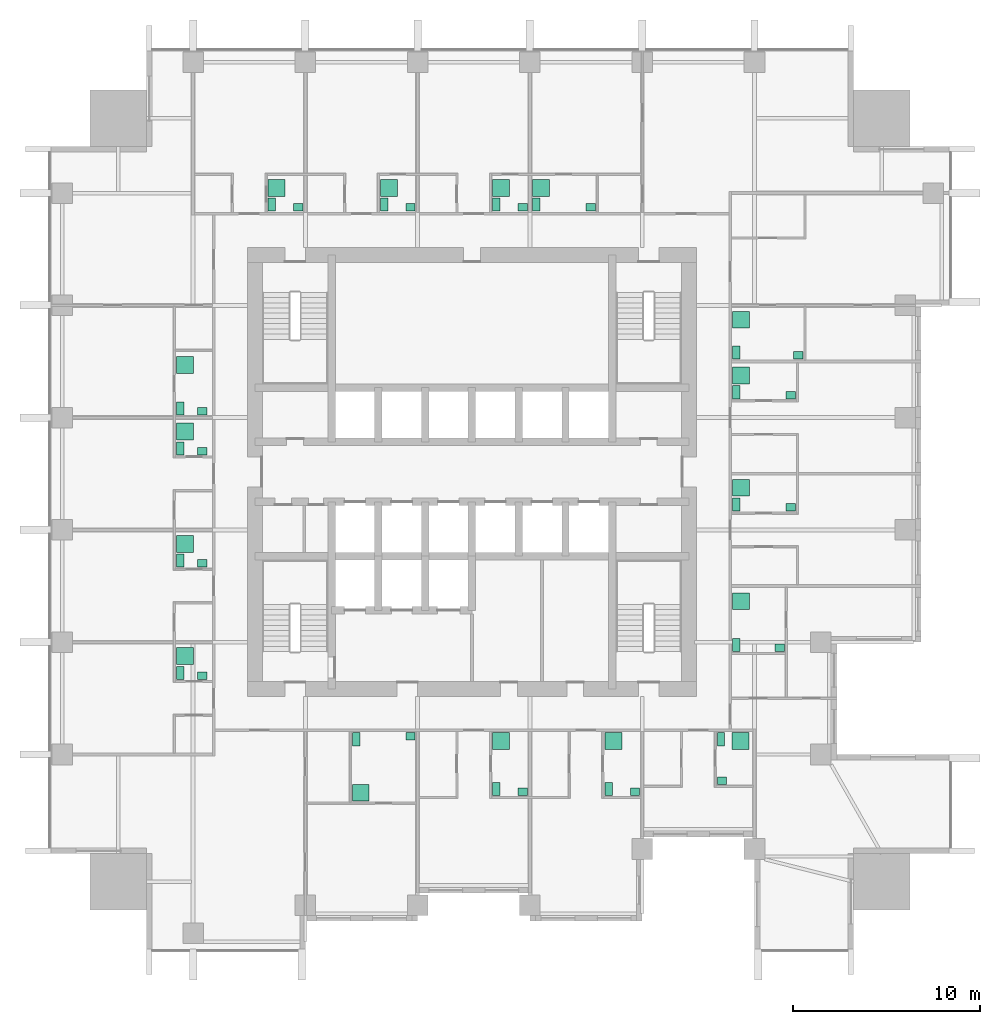
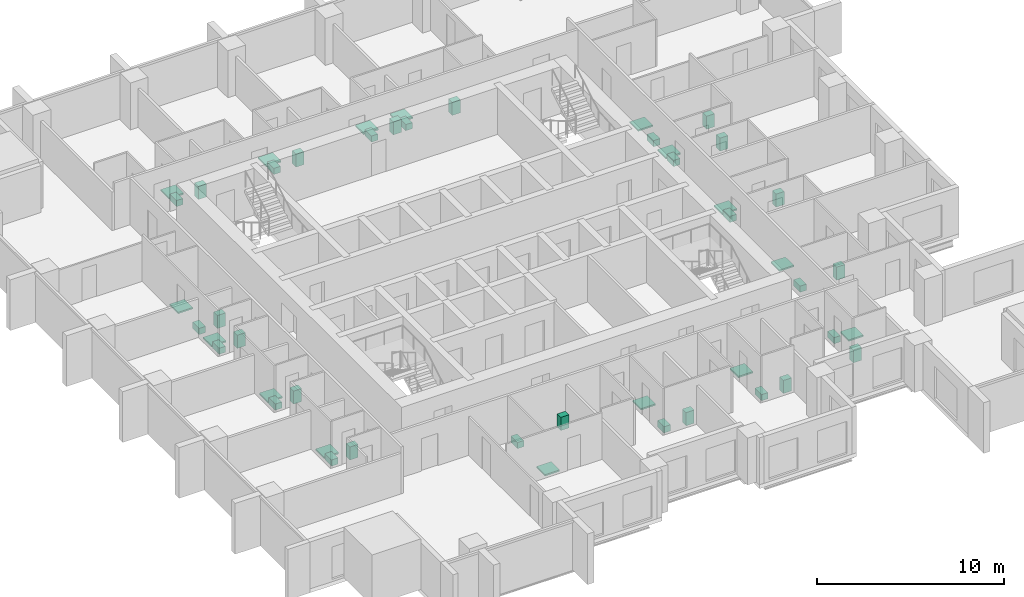
# One storey, part 11 of 11: 48 sanitary terminals.
"""IFC4 building model written with IfcOpenShell, lengths in metres."""

from ifc_helpers import new_model, si_unit, direction, frame, origin, origin_2d, place, context, subcontext, project, spatial, rectangle, extrude, element, save


model = new_model("IFC4")

# Units and contexts
model_context = context("Model", 3, precision=1e-05, world=origin(), true_north=direction((0.0, 1.0)))
body_context = subcontext(model_context, "Body", "Model", "MODEL_VIEW")
ifc_project = project(units=[si_unit("LENGTHUNIT", "METRE"), si_unit("AREAUNIT", "SQUARE_METRE"), si_unit("VOLUMEUNIT", "CUBIC_METRE"), si_unit("PLANEANGLEUNIT", "RADIAN"), si_unit("MASSUNIT", "GRAM", prefix="KILO")], contexts=[model_context])

# Site, building, storey
site_placement = place(None, origin())
site = spatial("IfcSite", under=ifc_project, at=site_placement, CompositionType="ELEMENT")
building_placement = place(site_placement, origin())
building = spatial("IfcBuilding", under=site, at=building_placement, Name="Amberfall Residences", CompositionType="ELEMENT")
storey_placement = place(building_placement, frame((0.0, 0.0, 91.89990234375)))
storey = spatial("IfcBuildingStorey", under=building, at=storey_placement, Name="L24", CompositionType="ELEMENT", Elevation=91.89990234375)

# Sanitary terminals
sanitary_terminal_1_placement = place(storey_placement, frame((68.31005859375, 31.215087890625, 0.000244140625), z_axis=(0.0, 0.0, 1.0), x_axis=(1.0, 0.0, 0.0)))
element("IfcSanitaryTerminal", 1, at=sanitary_terminal_1_placement, inside=storey, Name="Water closet 2401", PredefinedType="TOILETPAN", context=body_context, shape_type="SweptSolid", body=[
    extrude(rectangle(XDim=0.39990234375, YDim=0.699951171875, at=origin_2d()), origin(), (0.0, 0.0, 1.0), 0.39990234375),
])
sanitary_terminal_2_placement = place(storey_placement, frame((71.215087890625, 31.364990234375, 0.0), z_axis=(0.0, 0.0, 1.0), x_axis=(1.0, 0.0, 0.0)))
element("IfcSanitaryTerminal", 2, at=sanitary_terminal_2_placement, inside=storey, Name="Basin 2401", PredefinedType="WASHHANDBASIN", context=body_context, shape_type="SweptSolid", body=[
    extrude(rectangle(XDim=0.5, YDim=0.39990234375, at=origin_2d()), origin(), (0.0, 0.0, 1.0), 0.85009765625),
])
sanitary_terminal_3_placement = place(storey_placement, frame((68.56005859375, 28.360107421875, 0.0), z_axis=(0.0, 0.0, 1.0), x_axis=(1.0, 0.0, 0.0)))
element("IfcSanitaryTerminal", 3, at=sanitary_terminal_3_placement, inside=storey, Name="Shower tray 2401", PredefinedType="SHOWER", context=body_context, shape_type="SweptSolid", body=[
    extrude(rectangle(XDim=0.89990234375, YDim=0.89990234375, at=origin_2d()), origin(), (0.0, 0.0, 1.0), 0.10009765625),
])
sanitary_terminal_4_placement = place(storey_placement, frame((75.81005859375, 28.56005859375, 0.000244140625), z_axis=(0.0, 0.0, 1.0), x_axis=(1.0, 0.0, 0.0)))
element("IfcSanitaryTerminal", 4, at=sanitary_terminal_4_placement, inside=storey, Name="Water closet 2402", PredefinedType="TOILETPAN", context=body_context, shape_type="SweptSolid", body=[
    extrude(rectangle(XDim=0.39990234375, YDim=0.699951171875, at=origin_2d()), origin(), (0.0, 0.0, 1.0), 0.39990234375),
])
sanitary_terminal_5_placement = place(storey_placement, frame((77.215087890625, 28.409912109375, 0.0), z_axis=(0.0, 0.0, 1.0), x_axis=(1.0, 0.0, 0.0)))
element("IfcSanitaryTerminal", 5, at=sanitary_terminal_5_placement, inside=storey, Name="Basin 2402", PredefinedType="WASHHANDBASIN", context=body_context, shape_type="SweptSolid", body=[
    extrude(rectangle(XDim=0.5, YDim=0.39990234375, at=origin_2d()), origin(), (0.0, 0.0, 1.0), 0.85009765625),
])
sanitary_terminal_6_placement = place(storey_placement, frame((76.06005859375, 31.114990234375, 0.0), z_axis=(0.0, 0.0, 1.0), x_axis=(1.0, 0.0, 0.0)))
element("IfcSanitaryTerminal", 6, at=sanitary_terminal_6_placement, inside=storey, Name="Shower tray 2402", PredefinedType="SHOWER", context=body_context, shape_type="SweptSolid", body=[
    extrude(rectangle(XDim=0.89990234375, YDim=0.89990234375, at=origin_2d()), origin(), (0.0, 0.0, 1.0), 0.10009765625),
])
sanitary_terminal_7_placement = place(storey_placement, frame((81.81005859375, 28.56005859375, 0.000244140625), z_axis=(0.0, 0.0, 1.0), x_axis=(1.0, 0.0, 0.0)))
element("IfcSanitaryTerminal", 7, at=sanitary_terminal_7_placement, inside=storey, Name="Water closet 2403", PredefinedType="TOILETPAN", context=body_context, shape_type="SweptSolid", body=[
    extrude(rectangle(XDim=0.39990234375, YDim=0.699951171875, at=origin_2d()), origin(), (0.0, 0.0, 1.0), 0.39990234375),
])
sanitary_terminal_8_placement = place(storey_placement, frame((83.215087890625, 28.409912109375, 0.0), z_axis=(0.0, 0.0, 1.0), x_axis=(1.0, 0.0, 0.0)))
element("IfcSanitaryTerminal", 8, at=sanitary_terminal_8_placement, inside=storey, Name="Basin 2403", PredefinedType="WASHHANDBASIN", context=body_context, shape_type="SweptSolid", body=[
    extrude(rectangle(XDim=0.5, YDim=0.39990234375, at=origin_2d()), origin(), (0.0, 0.0, 1.0), 0.85009765625),
])
sanitary_terminal_9_placement = place(storey_placement, frame((82.06005859375, 31.114990234375, 0.0), z_axis=(0.0, 0.0, 1.0), x_axis=(1.0, 0.0, 0.0)))
element("IfcSanitaryTerminal", 9, at=sanitary_terminal_9_placement, inside=storey, Name="Shower tray 2403", PredefinedType="SHOWER", context=body_context, shape_type="SweptSolid", body=[
    extrude(rectangle(XDim=0.89990234375, YDim=0.89990234375, at=origin_2d()), origin(), (0.0, 0.0, 1.0), 0.10009765625),
])
sanitary_terminal_10_placement = place(storey_placement, frame((87.81005859375, 31.215087890625, 0.000244140625), z_axis=(0.0, 0.0, 1.0), x_axis=(1.0, 0.0, 0.0)))
element("IfcSanitaryTerminal", 10, at=sanitary_terminal_10_placement, inside=storey, Name="Water closet 2404", PredefinedType="TOILETPAN", context=body_context, shape_type="SweptSolid", body=[
    extrude(rectangle(XDim=0.39990234375, YDim=0.699951171875, at=origin_2d()), origin(), (0.0, 0.0, 1.0), 0.39990234375),
])
sanitary_terminal_11_placement = place(storey_placement, frame((87.860107421875, 29.010009765625, 0.0), z_axis=(0.0, 0.0, 1.0), x_axis=(1.0, 0.0, 0.0)))
element("IfcSanitaryTerminal", 11, at=sanitary_terminal_11_placement, inside=storey, Name="Basin 2404", PredefinedType="WASHHANDBASIN", context=body_context, shape_type="SweptSolid", body=[
    extrude(rectangle(XDim=0.5, YDim=0.39990234375, at=origin_2d()), origin(), (0.0, 0.0, 1.0), 0.85009765625),
])
sanitary_terminal_12_placement = place(storey_placement, frame((88.855712890625, 31.114990234375, 0.0), z_axis=(0.0, 0.0, 1.0), x_axis=(1.0, 0.0, 0.0)))
element("IfcSanitaryTerminal", 12, at=sanitary_terminal_12_placement, inside=storey, Name="Shower tray 2404", PredefinedType="SHOWER", context=body_context, shape_type="SweptSolid", body=[
    extrude(rectangle(XDim=0.89990234375, YDim=0.89990234375, at=origin_2d()), origin(), (0.0, 0.0, 1.0), 0.10009765625),
])
sanitary_terminal_13_placement = place(storey_placement, frame((88.635009765625, 36.260009765625, 0.000244140625), z_axis=(0.0, 0.0, 1.0), x_axis=(1.0, 0.0, 0.0)))
element("IfcSanitaryTerminal", 13, at=sanitary_terminal_13_placement, inside=storey, Name="Water closet 2405", PredefinedType="TOILETPAN", context=body_context, shape_type="SweptSolid", body=[
    extrude(rectangle(XDim=0.39990234375, YDim=0.699951171875, at=origin_2d()), origin(), (0.0, 0.0, 1.0), 0.39990234375),
])
sanitary_terminal_14_placement = place(storey_placement, frame((90.93994140625, 36.110107421875, 0.0), z_axis=(0.0, 0.0, 1.0), x_axis=(1.0, 0.0, 0.0)))
element("IfcSanitaryTerminal", 14, at=sanitary_terminal_14_placement, inside=storey, Name="Basin 2405", PredefinedType="WASHHANDBASIN", context=body_context, shape_type="SweptSolid", body=[
    extrude(rectangle(XDim=0.5, YDim=0.39990234375, at=origin_2d()), origin(), (0.0, 0.0, 1.0), 0.85009765625),
])
sanitary_terminal_15_placement = place(storey_placement, frame((88.885009765625, 38.591796875, 0.0), z_axis=(0.0, 0.0, 1.0), x_axis=(1.0, 0.0, 0.0)))
element("IfcSanitaryTerminal", 15, at=sanitary_terminal_15_placement, inside=storey, Name="Shower tray 2405", PredefinedType="SHOWER", context=body_context, shape_type="SweptSolid", body=[
    extrude(rectangle(XDim=0.89990234375, YDim=0.89990234375, at=origin_2d()), origin(), (0.0, 0.0, 1.0), 0.10009765625),
])
sanitary_terminal_16_placement = place(storey_placement, frame((88.635009765625, 43.760009765625, 0.000244140625), z_axis=(0.0, 0.0, 1.0), x_axis=(1.0, 0.0, 0.0)))
element("IfcSanitaryTerminal", 16, at=sanitary_terminal_16_placement, inside=storey, Name="Water closet 2406", PredefinedType="TOILETPAN", context=body_context, shape_type="SweptSolid", body=[
    extrude(rectangle(XDim=0.39990234375, YDim=0.699951171875, at=origin_2d()), origin(), (0.0, 0.0, 1.0), 0.39990234375),
])
sanitary_terminal_17_placement = place(storey_placement, frame((91.5400390625, 43.610107421875, 0.0), z_axis=(0.0, 0.0, 1.0), x_axis=(1.0, 0.0, 0.0)))
element("IfcSanitaryTerminal", 17, at=sanitary_terminal_17_placement, inside=storey, Name="Basin 2406", PredefinedType="WASHHANDBASIN", context=body_context, shape_type="SweptSolid", body=[
    extrude(rectangle(XDim=0.5, YDim=0.39990234375, at=origin_2d()), origin(), (0.0, 0.0, 1.0), 0.85009765625),
])
sanitary_terminal_18_placement = place(storey_placement, frame((88.885009765625, 44.65576171875, 0.0), z_axis=(0.0, 0.0, 1.0), x_axis=(1.0, 0.0, 0.0)))
element("IfcSanitaryTerminal", 18, at=sanitary_terminal_18_placement, inside=storey, Name="Shower tray 2406", PredefinedType="SHOWER", context=body_context, shape_type="SweptSolid", body=[
    extrude(rectangle(XDim=0.89990234375, YDim=0.89990234375, at=origin_2d()), origin(), (0.0, 0.0, 1.0), 0.10009765625),
])
sanitary_terminal_19_placement = place(storey_placement, frame((88.635009765625, 49.760009765625, 0.000244140625), z_axis=(0.0, 0.0, 1.0), x_axis=(1.0, 0.0, 0.0)))
element("IfcSanitaryTerminal", 19, at=sanitary_terminal_19_placement, inside=storey, Name="Water closet 2407", PredefinedType="TOILETPAN", context=body_context, shape_type="SweptSolid", body=[
    extrude(rectangle(XDim=0.39990234375, YDim=0.699951171875, at=origin_2d()), origin(), (0.0, 0.0, 1.0), 0.39990234375),
])
sanitary_terminal_20_placement = place(storey_placement, frame((91.5400390625, 49.610107421875, 0.0), z_axis=(0.0, 0.0, 1.0), x_axis=(1.0, 0.0, 0.0)))
element("IfcSanitaryTerminal", 20, at=sanitary_terminal_20_placement, inside=storey, Name="Basin 2407", PredefinedType="WASHHANDBASIN", context=body_context, shape_type="SweptSolid", body=[
    extrude(rectangle(XDim=0.5, YDim=0.39990234375, at=origin_2d()), origin(), (0.0, 0.0, 1.0), 0.85009765625),
])
sanitary_terminal_21_placement = place(storey_placement, frame((88.885009765625, 50.65576171875, 0.0), z_axis=(0.0, 0.0, 1.0), x_axis=(1.0, 0.0, 0.0)))
element("IfcSanitaryTerminal", 21, at=sanitary_terminal_21_placement, inside=storey, Name="Shower tray 2407", PredefinedType="SHOWER", context=body_context, shape_type="SweptSolid", body=[
    extrude(rectangle(XDim=0.89990234375, YDim=0.89990234375, at=origin_2d()), origin(), (0.0, 0.0, 1.0), 0.10009765625),
])
sanitary_terminal_22_placement = place(storey_placement, frame((88.635009765625, 51.885009765625, 0.000244140625), z_axis=(0.0, 0.0, 1.0), x_axis=(1.0, 0.0, 0.0)))
element("IfcSanitaryTerminal", 22, at=sanitary_terminal_22_placement, inside=storey, Name="Water closet 2408", PredefinedType="TOILETPAN", context=body_context, shape_type="SweptSolid", body=[
    extrude(rectangle(XDim=0.39990234375, YDim=0.699951171875, at=origin_2d()), origin(), (0.0, 0.0, 1.0), 0.39990234375),
])
sanitary_terminal_23_placement = place(storey_placement, frame((91.93994140625, 51.735107421875, 0.0), z_axis=(0.0, 0.0, 1.0), x_axis=(1.0, 0.0, 0.0)))
element("IfcSanitaryTerminal", 23, at=sanitary_terminal_23_placement, inside=storey, Name="Basin 2408", PredefinedType="WASHHANDBASIN", context=body_context, shape_type="SweptSolid", body=[
    extrude(rectangle(XDim=0.5, YDim=0.39990234375, at=origin_2d()), origin(), (0.0, 0.0, 1.0), 0.85009765625),
])
sanitary_terminal_24_placement = place(storey_placement, frame((88.885009765625, 53.6337890625, 0.0), z_axis=(0.0, 0.0, 1.0), x_axis=(1.0, 0.0, 0.0)))
element("IfcSanitaryTerminal", 24, at=sanitary_terminal_24_placement, inside=storey, Name="Shower tray 2408", PredefinedType="SHOWER", context=body_context, shape_type="SweptSolid", body=[
    extrude(rectangle(XDim=0.89990234375, YDim=0.89990234375, at=origin_2d()), origin(), (0.0, 0.0, 1.0), 0.10009765625),
])
sanitary_terminal_25_placement = place(storey_placement, frame((63.81005859375, 59.784912109375, 0.000244140625), z_axis=(0.0, 0.0, 1.0), x_axis=(1.0, 0.0, 0.0)))
element("IfcSanitaryTerminal", 25, at=sanitary_terminal_25_placement, inside=storey, Name="Water closet 2409", PredefinedType="TOILETPAN", context=body_context, shape_type="SweptSolid", body=[
    extrude(rectangle(XDim=0.39990234375, YDim=0.699951171875, at=origin_2d()), origin(), (0.0, 0.0, 1.0), 0.39990234375),
])
sanitary_terminal_26_placement = place(storey_placement, frame((65.215087890625, 59.635009765625, 0.0), z_axis=(0.0, 0.0, 1.0), x_axis=(1.0, 0.0, 0.0)))
element("IfcSanitaryTerminal", 26, at=sanitary_terminal_26_placement, inside=storey, Name="Basin 2409", PredefinedType="WASHHANDBASIN", context=body_context, shape_type="SweptSolid", body=[
    extrude(rectangle(XDim=0.5, YDim=0.39990234375, at=origin_2d()), origin(), (0.0, 0.0, 1.0), 0.85009765625),
])
sanitary_terminal_27_placement = place(storey_placement, frame((64.06005859375, 60.680908203125, 0.0), z_axis=(0.0, 0.0, 1.0), x_axis=(1.0, 0.0, 0.0)))
element("IfcSanitaryTerminal", 27, at=sanitary_terminal_27_placement, inside=storey, Name="Shower tray 2409", PredefinedType="SHOWER", context=body_context, shape_type="SweptSolid", body=[
    extrude(rectangle(XDim=0.89990234375, YDim=0.89990234375, at=origin_2d()), origin(), (0.0, 0.0, 1.0), 0.10009765625),
])
sanitary_terminal_28_placement = place(storey_placement, frame((69.81005859375, 59.784912109375, 0.000244140625), z_axis=(0.0, 0.0, 1.0), x_axis=(1.0, 0.0, 0.0)))
element("IfcSanitaryTerminal", 28, at=sanitary_terminal_28_placement, inside=storey, Name="Water closet 2410", PredefinedType="TOILETPAN", context=body_context, shape_type="SweptSolid", body=[
    extrude(rectangle(XDim=0.39990234375, YDim=0.699951171875, at=origin_2d()), origin(), (0.0, 0.0, 1.0), 0.39990234375),
])
sanitary_terminal_29_placement = place(storey_placement, frame((71.215087890625, 59.635009765625, 0.0), z_axis=(0.0, 0.0, 1.0), x_axis=(1.0, 0.0, 0.0)))
element("IfcSanitaryTerminal", 29, at=sanitary_terminal_29_placement, inside=storey, Name="Basin 2410", PredefinedType="WASHHANDBASIN", context=body_context, shape_type="SweptSolid", body=[
    extrude(rectangle(XDim=0.5, YDim=0.39990234375, at=origin_2d()), origin(), (0.0, 0.0, 1.0), 0.85009765625),
])
sanitary_terminal_30_placement = place(storey_placement, frame((70.06005859375, 60.680908203125, 0.0), z_axis=(0.0, 0.0, 1.0), x_axis=(1.0, 0.0, 0.0)))
element("IfcSanitaryTerminal", 30, at=sanitary_terminal_30_placement, inside=storey, Name="Shower tray 2410", PredefinedType="SHOWER", context=body_context, shape_type="SweptSolid", body=[
    extrude(rectangle(XDim=0.89990234375, YDim=0.89990234375, at=origin_2d()), origin(), (0.0, 0.0, 1.0), 0.10009765625),
])
sanitary_terminal_31_placement = place(storey_placement, frame((75.81005859375, 59.784912109375, 0.000244140625), z_axis=(0.0, 0.0, 1.0), x_axis=(1.0, 0.0, 0.0)))
element("IfcSanitaryTerminal", 31, at=sanitary_terminal_31_placement, inside=storey, Name="Water closet 2411", PredefinedType="TOILETPAN", context=body_context, shape_type="SweptSolid", body=[
    extrude(rectangle(XDim=0.39990234375, YDim=0.699951171875, at=origin_2d()), origin(), (0.0, 0.0, 1.0), 0.39990234375),
])
sanitary_terminal_32_placement = place(storey_placement, frame((77.215087890625, 59.635009765625, 0.0), z_axis=(0.0, 0.0, 1.0), x_axis=(1.0, 0.0, 0.0)))
element("IfcSanitaryTerminal", 32, at=sanitary_terminal_32_placement, inside=storey, Name="Basin 2411", PredefinedType="WASHHANDBASIN", context=body_context, shape_type="SweptSolid", body=[
    extrude(rectangle(XDim=0.5, YDim=0.39990234375, at=origin_2d()), origin(), (0.0, 0.0, 1.0), 0.85009765625),
])
sanitary_terminal_33_placement = place(storey_placement, frame((76.06005859375, 60.680908203125, 0.0), z_axis=(0.0, 0.0, 1.0), x_axis=(1.0, 0.0, 0.0)))
element("IfcSanitaryTerminal", 33, at=sanitary_terminal_33_placement, inside=storey, Name="Shower tray 2411", PredefinedType="SHOWER", context=body_context, shape_type="SweptSolid", body=[
    extrude(rectangle(XDim=0.89990234375, YDim=0.89990234375, at=origin_2d()), origin(), (0.0, 0.0, 1.0), 0.10009765625),
])
sanitary_terminal_34_placement = place(storey_placement, frame((77.93505859375, 59.784912109375, 0.000244140625), z_axis=(0.0, 0.0, 1.0), x_axis=(1.0, 0.0, 0.0)))
element("IfcSanitaryTerminal", 34, at=sanitary_terminal_34_placement, inside=storey, Name="Water closet 2412", PredefinedType="TOILETPAN", context=body_context, shape_type="SweptSolid", body=[
    extrude(rectangle(XDim=0.39990234375, YDim=0.699951171875, at=origin_2d()), origin(), (0.0, 0.0, 1.0), 0.39990234375),
])
sanitary_terminal_35_placement = place(storey_placement, frame((80.840087890625, 59.635009765625, 0.0), z_axis=(0.0, 0.0, 1.0), x_axis=(1.0, 0.0, 0.0)))
element("IfcSanitaryTerminal", 35, at=sanitary_terminal_35_placement, inside=storey, Name="Basin 2412", PredefinedType="WASHHANDBASIN", context=body_context, shape_type="SweptSolid", body=[
    extrude(rectangle(XDim=0.5, YDim=0.39990234375, at=origin_2d()), origin(), (0.0, 0.0, 1.0), 0.85009765625),
])
sanitary_terminal_36_placement = place(storey_placement, frame((78.18505859375, 60.680908203125, 0.0), z_axis=(0.0, 0.0, 1.0), x_axis=(1.0, 0.0, 0.0)))
element("IfcSanitaryTerminal", 36, at=sanitary_terminal_36_placement, inside=storey, Name="Shower tray 2412", PredefinedType="SHOWER", context=body_context, shape_type="SweptSolid", body=[
    extrude(rectangle(XDim=0.89990234375, YDim=0.89990234375, at=origin_2d()), origin(), (0.0, 0.0, 1.0), 0.10009765625),
])
sanitary_terminal_37_placement = place(storey_placement, frame((58.909912109375, 34.760009765625, 0.000244140625), z_axis=(0.0, 0.0, 1.0), x_axis=(1.0, 0.0, 0.0)))
element("IfcSanitaryTerminal", 37, at=sanitary_terminal_37_placement, inside=storey, Name="Water closet 2413", PredefinedType="TOILETPAN", context=body_context, shape_type="SweptSolid", body=[
    extrude(rectangle(XDim=0.39990234375, YDim=0.699951171875, at=origin_2d()), origin(), (0.0, 0.0, 1.0), 0.39990234375),
])
sanitary_terminal_38_placement = place(storey_placement, frame((60.089111328125, 34.610107421875, 0.0), z_axis=(0.0, 0.0, 1.0), x_axis=(1.0, 0.0, 0.0)))
element("IfcSanitaryTerminal", 38, at=sanitary_terminal_38_placement, inside=storey, Name="Basin 2413", PredefinedType="WASHHANDBASIN", context=body_context, shape_type="SweptSolid", body=[
    extrude(rectangle(XDim=0.5, YDim=0.39990234375, at=origin_2d()), origin(), (0.0, 0.0, 1.0), 0.85009765625),
])
sanitary_terminal_39_placement = place(storey_placement, frame((59.159912109375, 35.65576171875, 0.0), z_axis=(0.0, 0.0, 1.0), x_axis=(1.0, 0.0, 0.0)))
element("IfcSanitaryTerminal", 39, at=sanitary_terminal_39_placement, inside=storey, Name="Shower tray 2413", PredefinedType="SHOWER", context=body_context, shape_type="SweptSolid", body=[
    extrude(rectangle(XDim=0.89990234375, YDim=0.89990234375, at=origin_2d()), origin(), (0.0, 0.0, 1.0), 0.10009765625),
])
sanitary_terminal_40_placement = place(storey_placement, frame((58.909912109375, 40.760009765625, 0.000244140625), z_axis=(0.0, 0.0, 1.0), x_axis=(1.0, 0.0, 0.0)))
element("IfcSanitaryTerminal", 40, at=sanitary_terminal_40_placement, inside=storey, Name="Water closet 2414", PredefinedType="TOILETPAN", context=body_context, shape_type="SweptSolid", body=[
    extrude(rectangle(XDim=0.39990234375, YDim=0.699951171875, at=origin_2d()), origin(), (0.0, 0.0, 1.0), 0.39990234375),
])
sanitary_terminal_41_placement = place(storey_placement, frame((60.089111328125, 40.610107421875, 0.0), z_axis=(0.0, 0.0, 1.0), x_axis=(1.0, 0.0, 0.0)))
element("IfcSanitaryTerminal", 41, at=sanitary_terminal_41_placement, inside=storey, Name="Basin 2414", PredefinedType="WASHHANDBASIN", context=body_context, shape_type="SweptSolid", body=[
    extrude(rectangle(XDim=0.5, YDim=0.39990234375, at=origin_2d()), origin(), (0.0, 0.0, 1.0), 0.85009765625),
])
sanitary_terminal_42_placement = place(storey_placement, frame((59.159912109375, 41.65576171875, 0.0), z_axis=(0.0, 0.0, 1.0), x_axis=(1.0, 0.0, 0.0)))
element("IfcSanitaryTerminal", 42, at=sanitary_terminal_42_placement, inside=storey, Name="Shower tray 2414", PredefinedType="SHOWER", context=body_context, shape_type="SweptSolid", body=[
    extrude(rectangle(XDim=0.89990234375, YDim=0.89990234375, at=origin_2d()), origin(), (0.0, 0.0, 1.0), 0.10009765625),
])
sanitary_terminal_43_placement = place(storey_placement, frame((58.909912109375, 46.760009765625, 0.000244140625), z_axis=(0.0, 0.0, 1.0), x_axis=(1.0, 0.0, 0.0)))
element("IfcSanitaryTerminal", 43, at=sanitary_terminal_43_placement, inside=storey, Name="Water closet 2415", PredefinedType="TOILETPAN", context=body_context, shape_type="SweptSolid", body=[
    extrude(rectangle(XDim=0.39990234375, YDim=0.699951171875, at=origin_2d()), origin(), (0.0, 0.0, 1.0), 0.39990234375),
])
sanitary_terminal_44_placement = place(storey_placement, frame((60.089111328125, 46.610107421875, 0.0), z_axis=(0.0, 0.0, 1.0), x_axis=(1.0, 0.0, 0.0)))
element("IfcSanitaryTerminal", 44, at=sanitary_terminal_44_placement, inside=storey, Name="Basin 2415", PredefinedType="WASHHANDBASIN", context=body_context, shape_type="SweptSolid", body=[
    extrude(rectangle(XDim=0.5, YDim=0.39990234375, at=origin_2d()), origin(), (0.0, 0.0, 1.0), 0.85009765625),
])
sanitary_terminal_45_placement = place(storey_placement, frame((59.159912109375, 47.65576171875, 0.0), z_axis=(0.0, 0.0, 1.0), x_axis=(1.0, 0.0, 0.0)))
element("IfcSanitaryTerminal", 45, at=sanitary_terminal_45_placement, inside=storey, Name="Shower tray 2415", PredefinedType="SHOWER", context=body_context, shape_type="SweptSolid", body=[
    extrude(rectangle(XDim=0.89990234375, YDim=0.89990234375, at=origin_2d()), origin(), (0.0, 0.0, 1.0), 0.10009765625),
])
sanitary_terminal_46_placement = place(storey_placement, frame((58.909912109375, 48.885009765625, 0.000244140625), z_axis=(0.0, 0.0, 1.0), x_axis=(1.0, 0.0, 0.0)))
element("IfcSanitaryTerminal", 46, at=sanitary_terminal_46_placement, inside=storey, Name="Water closet 2416", PredefinedType="TOILETPAN", context=body_context, shape_type="SweptSolid", body=[
    extrude(rectangle(XDim=0.39990234375, YDim=0.699951171875, at=origin_2d()), origin(), (0.0, 0.0, 1.0), 0.39990234375),
])
sanitary_terminal_47_placement = place(storey_placement, frame((60.089111328125, 48.735107421875, 0.0), z_axis=(0.0, 0.0, 1.0), x_axis=(1.0, 0.0, 0.0)))
element("IfcSanitaryTerminal", 47, at=sanitary_terminal_47_placement, inside=storey, Name="Basin 2416", PredefinedType="WASHHANDBASIN", context=body_context, shape_type="SweptSolid", body=[
    extrude(rectangle(XDim=0.5, YDim=0.39990234375, at=origin_2d()), origin(), (0.0, 0.0, 1.0), 0.85009765625),
])
sanitary_terminal_48_placement = place(storey_placement, frame((59.159912109375, 51.216796875, 0.0), z_axis=(0.0, 0.0, 1.0), x_axis=(1.0, 0.0, 0.0)))
element("IfcSanitaryTerminal", 48, at=sanitary_terminal_48_placement, inside=storey, Name="Shower tray 2416", PredefinedType="SHOWER", context=body_context, shape_type="SweptSolid", body=[
    extrude(rectangle(XDim=0.89990234375, YDim=0.89990234375, at=origin_2d()), origin(), (0.0, 0.0, 1.0), 0.10009765625),
])

save(model, "model.ifc")
